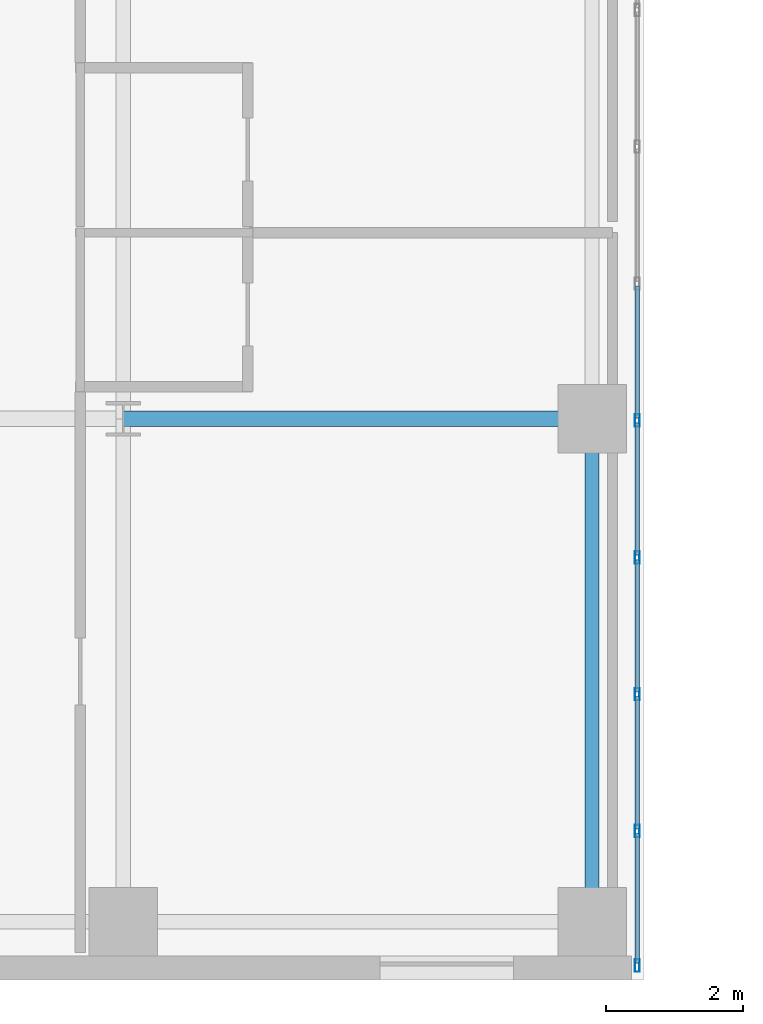
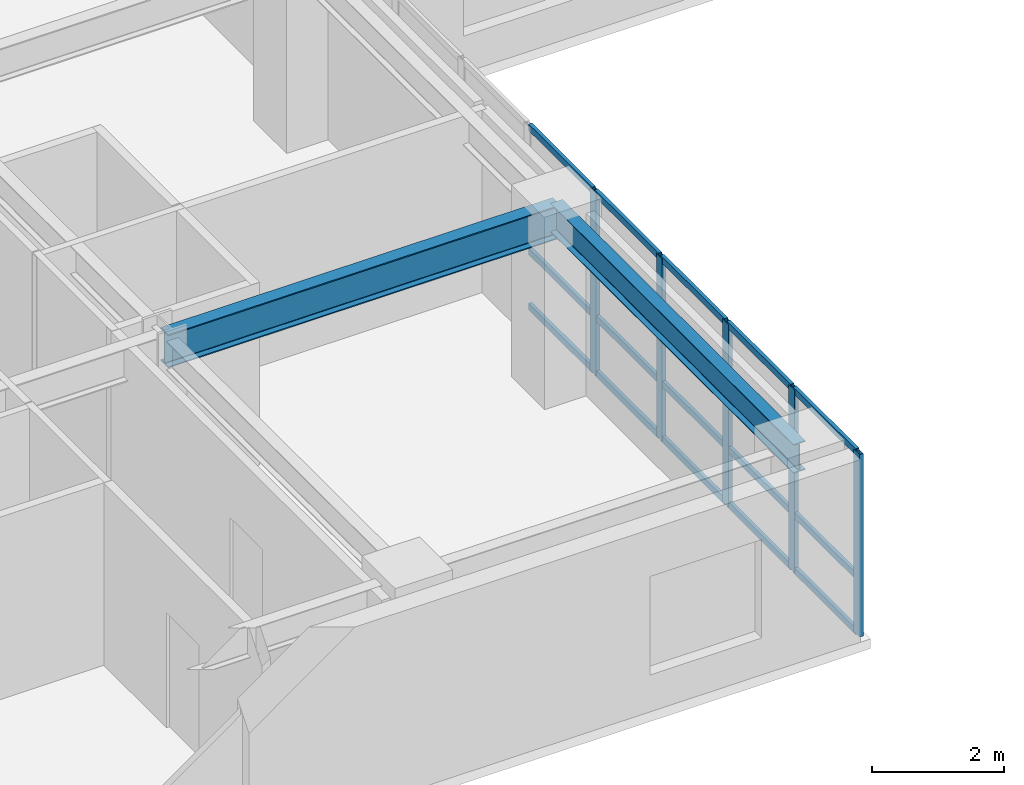
# One storey, part 6 of 30: 20 members, 2 beams, 1 element without a shape of its own.
"""IFC4 building model written with IfcOpenShell, lengths in metres."""

from ifc_helpers import new_model, si_unit, direction, frame, origin, origin_2d, place, context, subcontext, project, spatial, hollow_rectangle, i_section, extrude, source, transform, mapped, material, layer, layer_set, material_profile, profile_set, type_object, type_shapes, element, aggregate, save


model = new_model("IFC4")

# Units and contexts
model_context = context("Model", 3, precision=1e-05, world=origin(), true_north=direction((0.0, 1.0)))
body_context = subcontext(model_context, "Body", "Model", "MODEL_VIEW")
ifc_project = project(units=[si_unit("LENGTHUNIT", "METRE"), si_unit("AREAUNIT", "SQUARE_METRE"), si_unit("VOLUMEUNIT", "CUBIC_METRE"), si_unit("PLANEANGLEUNIT", "RADIAN"), si_unit("MASSUNIT", "GRAM", prefix="KILO")], contexts=[model_context])

# Site, building, storey
site_placement = place(None, origin())
site = spatial("IfcSite", under=ifc_project, at=site_placement, CompositionType="ELEMENT")
building_placement = place(site_placement, origin())
building = spatial("IfcBuilding", under=site, at=building_placement, Name="Tolvann Quenvar Hotel", CompositionType="ELEMENT")
storey_placement = place(building_placement, frame((0.0, 0.0, 56.85009765625)))
storey = spatial("IfcBuildingStorey", under=building, at=storey_placement, Name="L13", CompositionType="ELEMENT", Elevation=56.85009765625)

# Beams
ifc_material_1 = material(Name="Steel Grade 350", Category="steel")
ifc_material_profile_1 = material_profile(ifc_material_1, i_section(OverallWidth=0.22900390625, OverallDepth=0.612060546875, WebThickness=0.011962890625, FlangeThickness=0.01953125, FilletRadius=0.013916015625, at=origin_2d()), Name="610UB125")
ifc_profile_set_1 = profile_set([ifc_material_profile_1], Name="Steel Grade 350")
beam_type_1 = type_object("IfcBeamType", Name="BM_GIRD_610UB125", PredefinedType="BEAM", material=ifc_profile_set_1)
shared_shape_1 = source(origin(), body_context, "Body", "SweptSolid", [
    extrude(i_section(OverallWidth=0.22900390625, OverallDepth=0.612060546875, WebThickness=0.011962890625, FlangeThickness=0.01953125, FilletRadius=0.013916015625, at=origin_2d()), origin(), (0.0, 0.0, 1.0), 6.85009765625),
])
type_shapes(beam_type_1, [shared_shape_1])
beam_1_placement = place(storey_placement, frame((15.199951171875, 8.199951171875, 3.06396484375), z_axis=(1.0, 0.0, 0.0), x_axis=(0.0, 1.0, 0.0)))
element("IfcBeam", 1, at=beam_1_placement, inside=storey, type_object=beam_type_1, Name="BM-L13-EW-3-D3-E3", PredefinedType="BEAM", context=body_context, shape_type="MappedRepresentation", body=[
    mapped(shared_shape_1, transform((0.0, 0.0, 0.0), x_axis=(1.0, 0.0, 0.0), y_axis=(0.0, 1.0, 0.0), z_axis=(0.0, 0.0, 1.0), scale=1.0)),
])
ifc_material_profile_2 = material_profile(ifc_material_1, i_section(OverallWidth=0.208984375, OverallDepth=0.532958984375, WebThickness=0.01025390625, FlangeThickness=0.015625, FilletRadius=0.013916015625, at=origin_2d()), Name="530UB92")
ifc_profile_set_2 = profile_set([ifc_material_profile_2], Name="Steel Grade 350")
beam_type_2 = type_object("IfcBeamType", Name="BM_GIRD_530UB92", PredefinedType="BEAM", material=ifc_profile_set_2)
shared_shape_2 = source(origin(), body_context, "Body", "SweptSolid", [
    extrude(i_section(OverallWidth=0.208984375, OverallDepth=0.532958984375, WebThickness=0.01025390625, FlangeThickness=0.015625, FilletRadius=0.013916015625, at=origin_2d()), origin(), (0.0, 0.0, 1.0), 7.349853515625),
])
type_shapes(beam_type_2, [shared_shape_2])
beam_2_placement = place(storey_placement, frame((22.050048828125, 0.85009765625, 3.103515625), z_axis=(0.0, 1.0, 0.0), x_axis=(-1.0, 0.0, 0.0)))
element("IfcBeam", 2, at=beam_2_placement, inside=storey, type_object=beam_type_2, Name="BM-L13-NS-E2-E3", PredefinedType="BEAM", context=body_context, shape_type="MappedRepresentation", body=[
    mapped(shared_shape_2, transform((0.0, 0.0, 0.0), x_axis=(1.0, 0.0, 0.0), y_axis=(0.0, 1.0, 0.0), z_axis=(0.0, 0.0, 1.0), scale=1.0)),
])

# Curtain wall, members
ifc_material_2 = material(Name="Thermally broken anodised architectural aluminium 6063-T6 and laminated low-E glass", Category="aluminium")
ifc_layer = layer(ifc_material_2, 0.179931640625)
ifc_layer_set = layer_set([ifc_layer], Name="Thermally broken anodised architectural aluminium 6063-T6 and laminated low-E glass")
curtain_wall_type = type_object("IfcCurtainWallType", Name="CW_SYS_SLOT_03", PredefinedType="USERDEFINED", material=ifc_layer_set)
curtain_wall_placement = place(storey_placement, origin())
curtain_wall = element("IfcCurtainWall", 3, at=curtain_wall_placement, inside=storey, type_object=curtain_wall_type, Name="Curtain Wall CW-SLOT-03 (CWR-L13-E05)", ObjectType="UNITISED CURTAIN WALL", PredefinedType="USERDEFINED")
ifc_material_3 = material(Name="Anodised architectural aluminium 6063-T6 framing", Category="aluminium")
ifc_material_profile_3 = material_profile(ifc_material_3, hollow_rectangle(XDim=0.06005859375, YDim=0.1201171875, WallThickness=0.00341796875, at=origin_2d()), Name="120x60x3.5RHS")
ifc_profile_set_3 = profile_set([ifc_material_profile_3], Name="Anodised architectural aluminium 6063-T6 framing")
member_type_1 = type_object("IfcMemberType", Name="CW_TRAN_120x60", PredefinedType="USERDEFINED", material=ifc_profile_set_3)
shared_shape_3 = source(origin(), body_context, "Body", "SweptSolid", [
    extrude(hollow_rectangle(XDim=0.06005859375, YDim=0.1201171875, WallThickness=0.00341796875, at=origin_2d()), origin(), (0.0, 0.0, 1.0), 1.894775390625),
])
member_1_placement = place(storey_placement, frame((22.7099609375, 0.2451171875, 0.02978515625), z_axis=(0.0, 1.0, 0.0), x_axis=(-1.0, 0.0, 0.0)))
member_1 = element("IfcMember", 4, at=member_1_placement, type_object=member_type_1, Name="CW-SLOT-03 transom 1.1", ObjectType="TRANSOM", PredefinedType="USERDEFINED", context=body_context, shape_type="MappedRepresentation", body=[
    mapped(shared_shape_3, transform((0.0, 0.0, 0.0), x_axis=(1.0, 0.0, 0.0), y_axis=(0.0, 1.0, 0.0), z_axis=(0.0, 0.0, 1.0), scale=1.0)),
])
member_2_placement = place(storey_placement, frame((22.7099609375, 0.2451171875, 1.0498046875), z_axis=(0.0, 1.0, 0.0), x_axis=(-1.0, 0.0, 0.0)))
member_2 = element("IfcMember", 5, at=member_2_placement, type_object=member_type_1, Name="CW-SLOT-03 transom 1.2", ObjectType="TRANSOM", PredefinedType="USERDEFINED", context=body_context, shape_type="MappedRepresentation", body=[
    mapped(shared_shape_3, transform((0.0, 0.0, 0.0), x_axis=(1.0, 0.0, 0.0), y_axis=(0.0, 1.0, 0.0), z_axis=(0.0, 0.0, 1.0), scale=1.0)),
])
member_3_placement = place(storey_placement, frame((22.7099609375, 0.2451171875, 3.33984375), z_axis=(0.0, 1.0, 0.0), x_axis=(-1.0, 0.0, 0.0)))
member_3 = element("IfcMember", 6, at=member_3_placement, type_object=member_type_1, Name="CW-SLOT-03 transom 1.3", ObjectType="TRANSOM", PredefinedType="USERDEFINED", context=body_context, shape_type="MappedRepresentation", body=[
    mapped(shared_shape_3, transform((0.0, 0.0, 0.0), x_axis=(1.0, 0.0, 0.0), y_axis=(0.0, 1.0, 0.0), z_axis=(0.0, 0.0, 1.0), scale=1.0)),
])
shared_shape_4 = source(origin(), body_context, "Body", "SweptSolid", [
    extrude(hollow_rectangle(XDim=0.06005859375, YDim=0.1201171875, WallThickness=0.00341796875, at=origin_2d()), origin(), (0.0, 0.0, 1.0), 1.929931640625),
])
type_shapes(member_type_1, [shared_shape_3, shared_shape_4])
member_4_placement = place(storey_placement, frame((22.7099609375, 2.2099609375, 0.02978515625), z_axis=(0.0, 1.0, 0.0), x_axis=(-1.0, 0.0, 0.0)))
member_4 = element("IfcMember", 7, at=member_4_placement, type_object=member_type_1, Name="CW-SLOT-03 transom 2.1", ObjectType="TRANSOM", PredefinedType="USERDEFINED", context=body_context, shape_type="MappedRepresentation", body=[
    mapped(shared_shape_4, transform((0.0, 0.0, 0.0), x_axis=(1.0, 0.0, 0.0), y_axis=(0.0, 1.0, 0.0), z_axis=(0.0, 0.0, 1.0), scale=1.0)),
])
member_5_placement = place(storey_placement, frame((22.7099609375, 2.2099609375, 1.0498046875), z_axis=(0.0, 1.0, 0.0), x_axis=(-1.0, 0.0, 0.0)))
member_5 = element("IfcMember", 8, at=member_5_placement, type_object=member_type_1, Name="CW-SLOT-03 transom 2.2", ObjectType="TRANSOM", PredefinedType="USERDEFINED", context=body_context, shape_type="MappedRepresentation", body=[
    mapped(shared_shape_4, transform((0.0, 0.0, 0.0), x_axis=(1.0, 0.0, 0.0), y_axis=(0.0, 1.0, 0.0), z_axis=(0.0, 0.0, 1.0), scale=1.0)),
])
member_6_placement = place(storey_placement, frame((22.7099609375, 2.2099609375, 3.33984375), z_axis=(0.0, 1.0, 0.0), x_axis=(-1.0, 0.0, 0.0)))
member_6 = element("IfcMember", 9, at=member_6_placement, type_object=member_type_1, Name="CW-SLOT-03 transom 2.3", ObjectType="TRANSOM", PredefinedType="USERDEFINED", context=body_context, shape_type="MappedRepresentation", body=[
    mapped(shared_shape_4, transform((0.0, 0.0, 0.0), x_axis=(1.0, 0.0, 0.0), y_axis=(0.0, 1.0, 0.0), z_axis=(0.0, 0.0, 1.0), scale=1.0)),
])
member_7_placement = place(storey_placement, frame((22.7099609375, 4.2099609375, 0.02978515625), z_axis=(0.0, 1.0, 0.0), x_axis=(-1.0, 0.0, 0.0)))
member_7 = element("IfcMember", 10, at=member_7_placement, type_object=member_type_1, Name="CW-SLOT-03 transom 3.1", ObjectType="TRANSOM", PredefinedType="USERDEFINED", context=body_context, shape_type="MappedRepresentation", body=[
    mapped(shared_shape_4, transform((0.0, 0.0, 0.0), x_axis=(1.0, 0.0, 0.0), y_axis=(0.0, 1.0, 0.0), z_axis=(0.0, 0.0, 1.0), scale=1.0)),
])
member_8_placement = place(storey_placement, frame((22.7099609375, 4.2099609375, 1.0498046875), z_axis=(0.0, 1.0, 0.0), x_axis=(-1.0, 0.0, 0.0)))
member_8 = element("IfcMember", 11, at=member_8_placement, type_object=member_type_1, Name="CW-SLOT-03 transom 3.2", ObjectType="TRANSOM", PredefinedType="USERDEFINED", context=body_context, shape_type="MappedRepresentation", body=[
    mapped(shared_shape_4, transform((0.0, 0.0, 0.0), x_axis=(1.0, 0.0, 0.0), y_axis=(0.0, 1.0, 0.0), z_axis=(0.0, 0.0, 1.0), scale=1.0)),
])
member_9_placement = place(storey_placement, frame((22.7099609375, 4.2099609375, 3.33984375), z_axis=(0.0, 1.0, 0.0), x_axis=(-1.0, 0.0, 0.0)))
member_9 = element("IfcMember", 12, at=member_9_placement, type_object=member_type_1, Name="CW-SLOT-03 transom 3.3", ObjectType="TRANSOM", PredefinedType="USERDEFINED", context=body_context, shape_type="MappedRepresentation", body=[
    mapped(shared_shape_4, transform((0.0, 0.0, 0.0), x_axis=(1.0, 0.0, 0.0), y_axis=(0.0, 1.0, 0.0), z_axis=(0.0, 0.0, 1.0), scale=1.0)),
])
member_10_placement = place(storey_placement, frame((22.7099609375, 6.2099609375, 0.02978515625), z_axis=(0.0, 1.0, 0.0), x_axis=(-1.0, 0.0, 0.0)))
member_10 = element("IfcMember", 13, at=member_10_placement, type_object=member_type_1, Name="CW-SLOT-03 transom 4.1", ObjectType="TRANSOM", PredefinedType="USERDEFINED", context=body_context, shape_type="MappedRepresentation", body=[
    mapped(shared_shape_4, transform((0.0, 0.0, 0.0), x_axis=(1.0, 0.0, 0.0), y_axis=(0.0, 1.0, 0.0), z_axis=(0.0, 0.0, 1.0), scale=1.0)),
])
member_11_placement = place(storey_placement, frame((22.7099609375, 6.2099609375, 1.0498046875), z_axis=(0.0, 1.0, 0.0), x_axis=(-1.0, 0.0, 0.0)))
member_11 = element("IfcMember", 14, at=member_11_placement, type_object=member_type_1, Name="CW-SLOT-03 transom 4.2", ObjectType="TRANSOM", PredefinedType="USERDEFINED", context=body_context, shape_type="MappedRepresentation", body=[
    mapped(shared_shape_4, transform((0.0, 0.0, 0.0), x_axis=(1.0, 0.0, 0.0), y_axis=(0.0, 1.0, 0.0), z_axis=(0.0, 0.0, 1.0), scale=1.0)),
])
member_12_placement = place(storey_placement, frame((22.7099609375, 6.2099609375, 3.33984375), z_axis=(0.0, 1.0, 0.0), x_axis=(-1.0, 0.0, 0.0)))
member_12 = element("IfcMember", 15, at=member_12_placement, type_object=member_type_1, Name="CW-SLOT-03 transom 4.3", ObjectType="TRANSOM", PredefinedType="USERDEFINED", context=body_context, shape_type="MappedRepresentation", body=[
    mapped(shared_shape_4, transform((0.0, 0.0, 0.0), x_axis=(1.0, 0.0, 0.0), y_axis=(0.0, 1.0, 0.0), z_axis=(0.0, 0.0, 1.0), scale=1.0)),
])
member_13_placement = place(storey_placement, frame((22.7099609375, 8.2099609375, 0.02978515625), z_axis=(0.0, 1.0, 0.0), x_axis=(-1.0, 0.0, 0.0)))
member_13 = element("IfcMember", 16, at=member_13_placement, type_object=member_type_1, Name="CW-SLOT-03 transom 5.1", ObjectType="TRANSOM", PredefinedType="USERDEFINED", context=body_context, shape_type="MappedRepresentation", body=[
    mapped(shared_shape_4, transform((0.0, 0.0, 0.0), x_axis=(1.0, 0.0, 0.0), y_axis=(0.0, 1.0, 0.0), z_axis=(0.0, 0.0, 1.0), scale=1.0)),
])
member_14_placement = place(storey_placement, frame((22.7099609375, 8.2099609375, 1.0498046875), z_axis=(0.0, 1.0, 0.0), x_axis=(-1.0, 0.0, 0.0)))
member_14 = element("IfcMember", 17, at=member_14_placement, type_object=member_type_1, Name="CW-SLOT-03 transom 5.2", ObjectType="TRANSOM", PredefinedType="USERDEFINED", context=body_context, shape_type="MappedRepresentation", body=[
    mapped(shared_shape_4, transform((0.0, 0.0, 0.0), x_axis=(1.0, 0.0, 0.0), y_axis=(0.0, 1.0, 0.0), z_axis=(0.0, 0.0, 1.0), scale=1.0)),
])
member_15_placement = place(storey_placement, frame((22.7099609375, 8.2099609375, 3.33984375), z_axis=(0.0, 1.0, 0.0), x_axis=(-1.0, 0.0, 0.0)))
member_15 = element("IfcMember", 18, at=member_15_placement, type_object=member_type_1, Name="CW-SLOT-03 transom 5.3", ObjectType="TRANSOM", PredefinedType="USERDEFINED", context=body_context, shape_type="MappedRepresentation", body=[
    mapped(shared_shape_4, transform((0.0, 0.0, 0.0), x_axis=(1.0, 0.0, 0.0), y_axis=(0.0, 1.0, 0.0), z_axis=(0.0, 0.0, 1.0), scale=1.0)),
])
ifc_material_profile_4 = material_profile(ifc_material_3, hollow_rectangle(XDim=0.070068359375, YDim=0.179931640625, WallThickness=0.00390625, at=origin_2d()), Name="180x70x4RHS")
ifc_profile_set_4 = profile_set([ifc_material_profile_4], Name="Anodised architectural aluminium 6063-T6 framing")
member_type_2 = type_object("IfcMemberType", Name="CW_MULL_180x70", PredefinedType="MULLION", material=ifc_profile_set_4)
shared_shape_5 = source(origin(), body_context, "Body", "SweptSolid", [
    extrude(hollow_rectangle(XDim=0.070068359375, YDim=0.179931640625, WallThickness=0.00390625, at=origin_2d()), origin(), (0.0, 0.0, 1.0), 3.369873046875),
])
type_shapes(member_type_2, [shared_shape_5])
member_16_placement = place(storey_placement, frame((22.7099609375, 0.2099609375, 0.0), z_axis=(0.0, 0.0, 1.0), x_axis=(-1.0, 0.0, 0.0)))
member_16 = element("IfcMember", 19, at=member_16_placement, type_object=member_type_2, Name="CW-SLOT-03 mullion 1", PredefinedType="MULLION", context=body_context, shape_type="MappedRepresentation", body=[
    mapped(shared_shape_5, transform((0.0, 0.0, 0.0), x_axis=(1.0, 0.0, 0.0), y_axis=(0.0, 1.0, 0.0), z_axis=(0.0, 0.0, 1.0), scale=1.0)),
])
member_17_placement = place(storey_placement, frame((22.7099609375, 2.175048828125, 0.0), z_axis=(0.0, 0.0, 1.0), x_axis=(-1.0, 0.0, 0.0)))
member_17 = element("IfcMember", 20, at=member_17_placement, type_object=member_type_2, Name="CW-SLOT-03 mullion 2", PredefinedType="MULLION", context=body_context, shape_type="MappedRepresentation", body=[
    mapped(shared_shape_5, transform((0.0, 0.0, 0.0), x_axis=(1.0, 0.0, 0.0), y_axis=(0.0, 1.0, 0.0), z_axis=(0.0, 0.0, 1.0), scale=1.0)),
])
member_18_placement = place(storey_placement, frame((22.7099609375, 4.175048828125, 0.0), z_axis=(0.0, 0.0, 1.0), x_axis=(-1.0, 0.0, 0.0)))
member_18 = element("IfcMember", 21, at=member_18_placement, type_object=member_type_2, Name="CW-SLOT-03 mullion 3", PredefinedType="MULLION", context=body_context, shape_type="MappedRepresentation", body=[
    mapped(shared_shape_5, transform((0.0, 0.0, 0.0), x_axis=(1.0, 0.0, 0.0), y_axis=(0.0, 1.0, 0.0), z_axis=(0.0, 0.0, 1.0), scale=1.0)),
])
member_19_placement = place(storey_placement, frame((22.7099609375, 6.175048828125, 0.0), z_axis=(0.0, 0.0, 1.0), x_axis=(-1.0, 0.0, 0.0)))
member_19 = element("IfcMember", 22, at=member_19_placement, type_object=member_type_2, Name="CW-SLOT-03 mullion 4", PredefinedType="MULLION", context=body_context, shape_type="MappedRepresentation", body=[
    mapped(shared_shape_5, transform((0.0, 0.0, 0.0), x_axis=(1.0, 0.0, 0.0), y_axis=(0.0, 1.0, 0.0), z_axis=(0.0, 0.0, 1.0), scale=1.0)),
])
member_20_placement = place(storey_placement, frame((22.7099609375, 8.175048828125, 0.0), z_axis=(0.0, 0.0, 1.0), x_axis=(-1.0, 0.0, 0.0)))
member_20 = element("IfcMember", 23, at=member_20_placement, type_object=member_type_2, Name="CW-SLOT-03 mullion 5", PredefinedType="MULLION", context=body_context, shape_type="MappedRepresentation", body=[
    mapped(shared_shape_5, transform((0.0, 0.0, 0.0), x_axis=(1.0, 0.0, 0.0), y_axis=(0.0, 1.0, 0.0), z_axis=(0.0, 0.0, 1.0), scale=1.0)),
])
aggregate(curtain_wall, [member_16, member_17, member_18, member_19, member_20, member_1, member_2, member_3, member_4, member_5, member_6, member_7, member_8, member_9, member_10, member_11, member_12, member_13, member_14, member_15])

save(model, "model.ifc")
